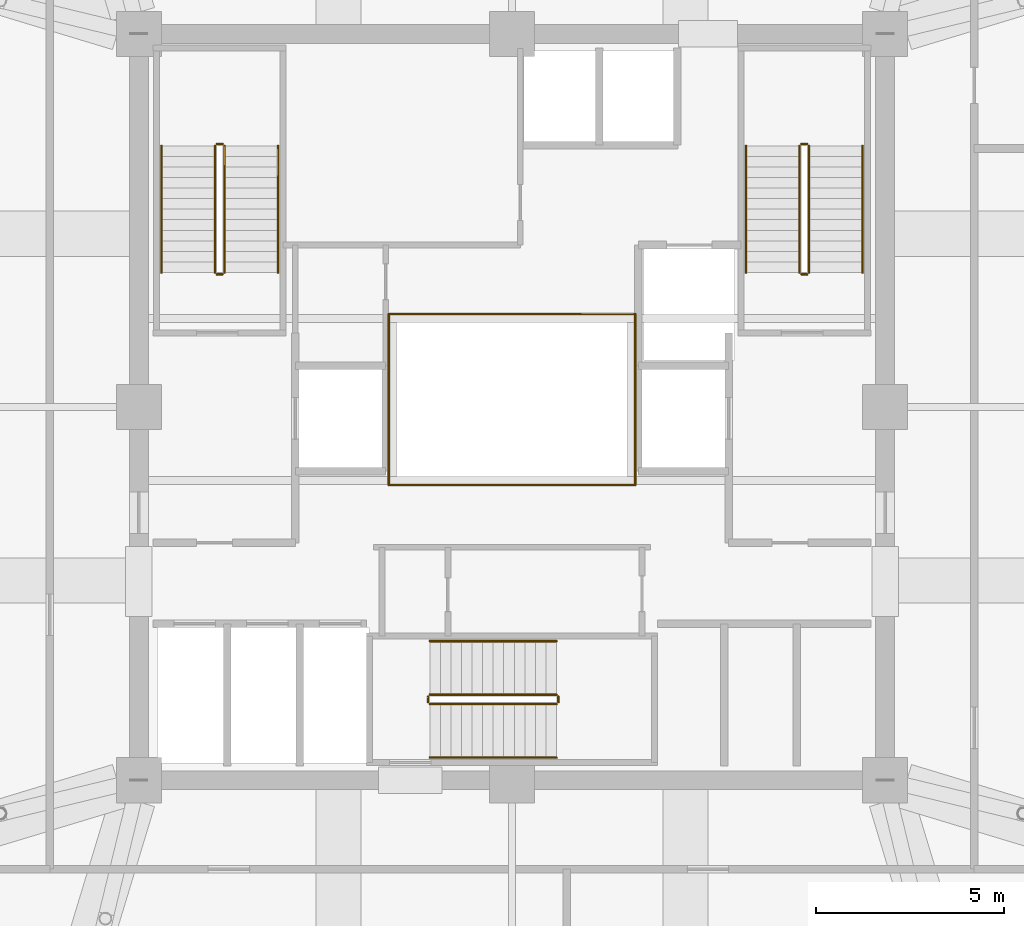
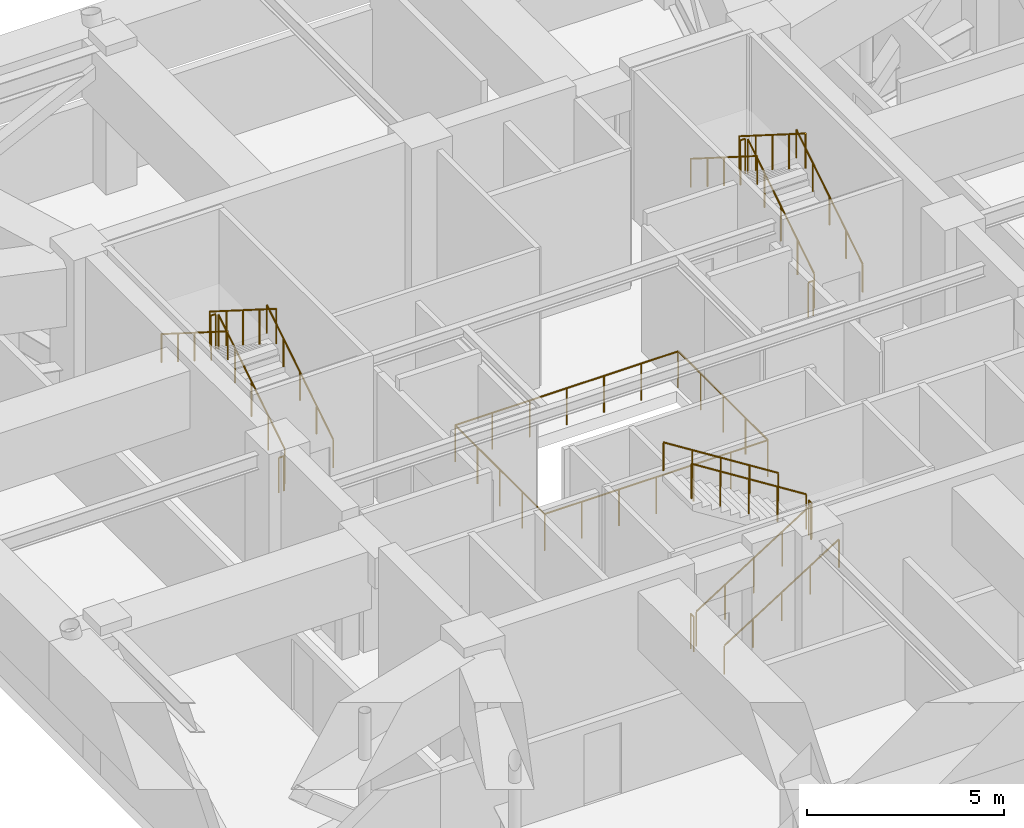
# One storey, part 12 of 12: 22 railings.
"""IFC4 building model written with IfcOpenShell, lengths in metres."""

import ifcopenshell
import ifcopenshell.guid

model = None  # the IFC model being written
_history = None  # IfcOwnerHistory: only IFC2X3 demands one
_inside = {}  # id of a spatial element -> (the spatial element, [elements in it])
_under = {}  # id of a project, library or spatial element -> (it, [spatial elements below it])
_declared = {}  # id of a project -> (the project, [libraries it declares])
_typed = {}  # id of a type object -> (the type object, [elements of that type])
_made_of = {}  # id of a material, layer set ... -> (it, [elements and type objects made of it])


def new_model(schema):
    """Start an empty IFC model of exactly this schema.

    Asked for "IFC4X3", IfcOpenShell would pick the latest addendum, in which some entities
    have other attributes; the version numbers below select the first issue.
    IFC2X3 requires an IfcOwnerHistory on every rooted entity: one is made here for all.
    """
    global model, _history
    if schema == "IFC4X3":
        model = ifcopenshell.file(schema_version=(4, 3, 0, 0))
    else:
        model = ifcopenshell.file(schema=schema)
    _inside.clear()
    _under.clear()
    _declared.clear()
    _typed.clear()
    _made_of.clear()
    _history = None
    if model.schema == "IFC2X3":
        org = make("IfcOrganization", Name="unknown")
        user = make(
            "IfcPersonAndOrganization",
            ThePerson=make("IfcPerson", FamilyName="unknown"),
            TheOrganization=org,
        )
        app = make(
            "IfcApplication",
            ApplicationDeveloper=org,
            Version="unknown",
            ApplicationFullName="unknown",
            ApplicationIdentifier="unknown",
        )
        _history = make(
            "IfcOwnerHistory",
            OwningUser=user,
            OwningApplication=app,
            ChangeAction="ADDED",
            CreationDate=0,
        )
    return model


def make(cls, **values):
    """One entity of the class cls with the attributes given. An attribute that is None is left unset."""
    return model.create_entity(
        cls, **{name: value for name, value in values.items() if value is not None}
    )


def rooted(cls, **values):
    """An entity with a GlobalId (a new one), such as an element, a storey or a relation."""
    return make(cls, GlobalId=ifcopenshell.guid.new(), OwnerHistory=_history, **values)


def si_unit(unit_type, name, prefix=None):
    """IfcSIUnit, for example si_unit("LENGTHUNIT", "METRE", prefix="MILLI")."""
    return make("IfcSIUnit", UnitType=unit_type, Prefix=prefix, Name=name)


def assignment(units):
    """IfcUnitAssignment: the units of a project."""
    return None if units is None else make("IfcUnitAssignment", Units=units)


def point(xyz):
    """IfcCartesianPoint."""
    return None if xyz is None else make("IfcCartesianPoint", Coordinates=xyz)


def direction(xyz):
    """IfcDirection."""
    return None if xyz is None else make("IfcDirection", DirectionRatios=xyz)


def frame(location, z_axis=None, x_axis=None):
    """IfcAxis2Placement3D, a coordinate frame: its origin and axes. An axis left out is left unset."""
    return make(
        "IfcAxis2Placement3D",
        Location=point(location),
        Axis=direction(z_axis),
        RefDirection=direction(x_axis),
    )


def frame_2d(location, x_axis=None):
    """IfcAxis2Placement2D, a coordinate frame in the plane: its origin and x axis."""
    return make(
        "IfcAxis2Placement2D", Location=point(location), RefDirection=direction(x_axis)
    )


def origin():
    """The frame at (0, 0, 0) with its axes left unset."""
    return frame((0.0, 0.0, 0.0))


def origin_2d():
    """The frame at (0, 0) in the plane with its x axis left unset."""
    return frame_2d((0.0, 0.0))


def place(relative_to, where):
    """IfcLocalPlacement: puts the frame where relative to a parent placement (None: the world)."""
    return make(
        "IfcLocalPlacement", PlacementRelTo=relative_to, RelativePlacement=where
    )


def context(
    kind, dimensions, precision=None, world=None, true_north=None, identifier=None
):
    """IfcGeometricRepresentationContext, for example the 3D "Model" context."""
    return make(
        "IfcGeometricRepresentationContext",
        ContextIdentifier=identifier,
        ContextType=kind,
        CoordinateSpaceDimension=dimensions,
        Precision=precision,
        WorldCoordinateSystem=world,
        TrueNorth=true_north,
    )


def subcontext(parent, identifier, kind, view, scale=None):
    """IfcGeometricRepresentationSubContext, for example "Body" below "Model"."""
    return make(
        "IfcGeometricRepresentationSubContext",
        ContextIdentifier=identifier,
        ContextType=kind,
        ParentContext=parent,
        TargetScale=scale,
        TargetView=view,
    )


def project(units=None, contexts=None):
    """IfcProject with its units and contexts."""
    return rooted(
        "IfcProject",
        Name="project",
        RepresentationContexts=contexts,
        UnitsInContext=assignment(units),
    )


def spatial(cls, under=None, at=None, **own):
    """A site, building, storey or space (cls), placed at a placement, below another one or the project."""
    s = rooted(cls, ObjectPlacement=at, **own)
    if under is not None:
        _under.setdefault(under.id(), (under, []))[1].append(s)
    return s


def profile(cls, at=None, kind="AREA", **sizes):
    """A parametric profile (cls). Its sizes go by their IFC names, for example OverallWidth=200.0."""
    return make(cls, ProfileType=kind, Position=at, **sizes)


def circle(**sizes):
    """IfcCircleProfileDef."""
    return profile("IfcCircleProfileDef", **sizes)


def extrude(swept, where, along, depth):
    """IfcExtrudedAreaSolid: the profile swept, set in the frame where, extruded along a direction by depth."""
    return make(
        "IfcExtrudedAreaSolid",
        SweptArea=swept,
        Position=where,
        ExtrudedDirection=direction(along),
        Depth=depth,
    )


def shape(context_of_items, identifier, shape_type, items):
    """IfcShapeRepresentation: the items that make up one representation, for example the "Body"."""
    return make(
        "IfcShapeRepresentation",
        ContextOfItems=context_of_items,
        RepresentationIdentifier=identifier,
        RepresentationType=shape_type,
        Items=items,
    )


def material(Name=None, Category=None):
    """IfcMaterial."""
    return make("IfcMaterial", Name=Name, Category=Category)


def made_of(thing, what):
    """Note that an element or type object is made of a material, layer set ...; save() writes the relation."""
    if what is not None:
        _made_of.setdefault(what.id(), (what, []))[1].append(thing)
    return thing


def type_object(cls, material=None, **own):
    """A type object (cls), such as IfcWallType, which elements share."""
    return made_of(rooted(cls, **own), material)


def element(
    cls,
    number,
    at=None,
    inside=None,
    cuts=None,
    type_object=None,
    material=None,
    context=None,
    identifier="Body",
    shape_type=None,
    held_by="IfcProductDefinitionShape",
    body=None,
    shapes=None,
    **own,
):
    """One element of the class cls, such as IfcWall. Its Tag is "e" and its number.

    at: its placement. inside: the storey or other place that contains it. cuts: it is an
    opening in that element (IfcRelVoidsElement). A single representation is given by context,
    identifier, shape_type and body (its items); several are given by shapes. held_by: the class
    of the entity that holds the representations. save() writes the other relations.
    """
    e = rooted(cls, Tag="e%d" % number, ObjectPlacement=at, **own)
    if body is not None:
        shapes = [shape(context, identifier, shape_type, body)]
    if shapes is not None:
        e.Representation = make(held_by, Representations=shapes)
    if inside is not None:
        _inside.setdefault(inside.id(), (inside, []))[1].append(e)
    if cuts is not None:
        rooted(
            "IfcRelVoidsElement", RelatingBuildingElement=cuts, RelatedOpeningElement=e
        )
    if type_object is not None:
        _typed.setdefault(type_object.id(), (type_object, []))[1].append(e)
    return made_of(e, material)


def aggregate(whole, parts):
    """IfcRelAggregates: a whole, such as a stair, and the parts it consists of."""
    return rooted("IfcRelAggregates", RelatingObject=whole, RelatedObjects=parts)


def save(model, path):
    """Write the relations noted so far, then the file.

    IfcRelAggregates (storeys below a building ...), IfcRelContainedInSpatialStructure (elements
    in a storey), IfcRelDefinesByType, IfcRelAssociatesMaterial and IfcRelDeclares: one each for
    every whole, place, type object, material and project.
    """
    for whole, parts in _under.values():
        aggregate(whole, parts)
    for where, things in _inside.values():
        rooted(
            "IfcRelContainedInSpatialStructure",
            RelatedElements=things,
            RelatingStructure=where,
        )
    for kind, things in _typed.values():
        rooted("IfcRelDefinesByType", RelatedObjects=things, RelatingType=kind)
    for what, things in _made_of.values():
        rooted("IfcRelAssociatesMaterial", RelatedObjects=things, RelatingMaterial=what)
    for by, libraries in _declared.values():
        rooted("IfcRelDeclares", RelatingContext=by, RelatedDefinitions=libraries)
    model.write(path)


model = new_model("IFC4")

# Units and contexts
model_context = context("Model", 3, precision=1e-05, world=origin(), true_north=direction((0.0, 1.0)))
body_context = subcontext(model_context, "Body", "Model", "MODEL_VIEW")
ifc_project = project(units=[si_unit("LENGTHUNIT", "METRE"), si_unit("AREAUNIT", "SQUARE_METRE"), si_unit("VOLUMEUNIT", "CUBIC_METRE"), si_unit("PLANEANGLEUNIT", "RADIAN"), si_unit("MASSUNIT", "GRAM", prefix="KILO")], contexts=[model_context])

# Site, building, storey
site_placement = place(None, origin())
site = spatial("IfcSite", under=ifc_project, at=site_placement, CompositionType="ELEMENT")
building_placement = place(site_placement, origin())
building = spatial("IfcBuilding", under=site, at=building_placement, Name="Kolvaren Belvedere", CompositionType="ELEMENT")
storey_placement = place(building_placement, frame((0.0, 0.0, 148.10009765625)))
storey = spatial("IfcBuildingStorey", under=building, at=storey_placement, Name="L43", CompositionType="ELEMENT", Elevation=148.10009765625)

# Railings
ifc_material_1 = material(Name="Laminated glass & stainless-steel cap rail", Category="steel")
railing_type_1 = type_object("IfcRailingType", Name="RL-ATR-1150", PredefinedType="BALUSTRADE", material=ifc_material_1)
for number, where, name in (
    (1, (-3.27001953125, 2.469970703125, 0.0), "L43 Atrium North Glass Balustrade"),
    (2, (-3.27001953125, -2.070068359375, 0.0), "L43 Atrium South Glass Balustrade"),
):
    element("IfcRailing", number, at=place(storey_placement, frame(where)), inside=storey, type_object=railing_type_1, Name=name, PredefinedType="BALUSTRADE", context=body_context, shape_type="SweptSolid", body=[
        extrude(circle(Radius=0.02392578125, at=origin_2d()), frame((0.0, 0.0, 1.1259765625), z_axis=(1.0, 0.0, 0.0), x_axis=(0.0, 1.0, 0.0)), (0.0, 0.0, 1.0), 6.5400390625),
        extrude(circle(Radius=0.02099609375, at=origin_2d()), origin(), (0.0, 0.0, 1.0), 1.101806640625),
        extrude(circle(Radius=0.02099609375, at=origin_2d()), frame((1.090087890625, 0.0, 0.0)), (0.0, 0.0, 1.0), 1.101806640625),
        extrude(circle(Radius=0.02099609375, at=origin_2d()), frame((2.179931640625, 0.0, 0.0)), (0.0, 0.0, 1.0), 1.101806640625),
        extrude(circle(Radius=0.02099609375, at=origin_2d()), frame((3.27001953125, 0.0, 0.0)), (0.0, 0.0, 1.0), 1.101806640625),
        extrude(circle(Radius=0.02099609375, at=origin_2d()), frame((4.360107421875, 0.0, 0.0)), (0.0, 0.0, 1.0), 1.101806640625),
        extrude(circle(Radius=0.02099609375, at=origin_2d()), frame((5.449951171875, 0.0, 0.0)), (0.0, 0.0, 1.0), 1.101806640625),
        extrude(circle(Radius=0.02099609375, at=origin_2d()), frame((6.5400390625, 0.0, 0.0)), (0.0, 0.0, 1.0), 1.101806640625),
    ])
for number, where, name in (
    (3, (-3.27001953125, -2.070068359375, 0.0), "L43 Atrium West Glass Balustrade"),
    (4, (3.27001953125, -2.070068359375, 0.0), "L43 Atrium East Glass Balustrade"),
):
    element("IfcRailing", number, at=place(storey_placement, frame(where)), inside=storey, type_object=railing_type_1, Name=name, PredefinedType="BALUSTRADE", context=body_context, shape_type="SweptSolid", body=[
        extrude(circle(Radius=0.02392578125, at=origin_2d()), frame((0.0, 0.0, 1.1259765625), z_axis=(0.0, 1.0, 0.0), x_axis=(-1.0, 0.0, 0.0)), (0.0, 0.0, 1.0), 4.5400390625),
        extrude(circle(Radius=0.02099609375, at=origin_2d()), origin(), (0.0, 0.0, 1.0), 1.101806640625),
        extrude(circle(Radius=0.02099609375, at=origin_2d()), frame((0.0, 1.135009765625, 0.0)), (0.0, 0.0, 1.0), 1.101806640625),
        extrude(circle(Radius=0.02099609375, at=origin_2d()), frame((0.0, 2.27001953125, 0.0)), (0.0, 0.0, 1.0), 1.101806640625),
        extrude(circle(Radius=0.02099609375, at=origin_2d()), frame((0.0, 3.405029296875, 0.0)), (0.0, 0.0, 1.0), 1.101806640625),
        extrude(circle(Radius=0.02099609375, at=origin_2d()), frame((0.0, 4.5400390625, 0.0)), (0.0, 0.0, 1.0), 1.101806640625),
    ])
ifc_material_2 = material(Name="Brushed stainless-steel handrail", Category="steel")
railing_type_2 = type_object("IfcRailingType", Name="RL-HANDRAIL-920", PredefinedType="HANDRAIL", material=ifc_material_2)
railing_1_placement = place(storey_placement, frame((-6.2099609375, 3.570068359375, 0.1767578125)))
element("IfcRailing", 5, at=railing_1_placement, inside=storey, type_object=railing_type_2, Name="L43 ST-1 stair handrail 1", PredefinedType="HANDRAIL", context=body_context, shape_type="SweptSolid", body=[
    extrude(circle(Radius=0.02392578125, at=origin_2d()), frame((0.0, 0.0, 0.8759765625), z_axis=(0.0, 0.845372108799, 0.534177870812), x_axis=(-1.0, 0.0, 0.0)), (0.0, 0.0, 1.0), 3.974365234375),
    extrude(circle(Radius=0.02099609375, at=origin_2d()), origin(), (0.0, 0.0, 1.0), 0.851806640625),
    extrude(circle(Radius=0.02099609375, at=origin_2d()), frame((0.0, 0.83984375, 0.53076171875)), (0.0, 0.0, 1.0), 0.851806640625),
    extrude(circle(Radius=0.02099609375, at=origin_2d()), frame((0.0, 1.679931640625, 1.0615234375)), (0.0, 0.0, 1.0), 0.851806640625),
    extrude(circle(Radius=0.02099609375, at=origin_2d()), frame((0.0, 2.52001953125, 1.59228515625)), (0.0, 0.0, 1.0), 0.851806640625),
    extrude(circle(Radius=0.02099609375, at=origin_2d()), frame((0.0, 3.35986328125, 2.123046875)), (0.0, 0.0, 1.0), 0.851806640625),
])
railing_2_placement = place(storey_placement, frame((-9.300048828125, 6.929931640625, 2.476806640625)))
element("IfcRailing", 6, at=railing_2_placement, inside=storey, type_object=railing_type_2, Name="L43 ST-1 stair handrail 2", PredefinedType="HANDRAIL", context=body_context, shape_type="SweptSolid", body=[
    extrude(circle(Radius=0.02392578125, at=origin_2d()), frame((0.0, 0.0, 0.8759765625), z_axis=(0.0, -0.845372108799, 0.534177870812), x_axis=(1.0, 0.0, 0.0)), (0.0, 0.0, 1.0), 3.974365234375),
    extrude(circle(Radius=0.02099609375, at=origin_2d()), origin(), (0.0, 0.0, 1.0), 0.851806640625),
    extrude(circle(Radius=0.02099609375, at=origin_2d()), frame((0.0, -0.83984375, 0.53076171875)), (0.0, 0.0, 1.0), 0.851806640625),
    extrude(circle(Radius=0.02099609375, at=origin_2d()), frame((0.0, -1.679931640625, 1.0615234375)), (0.0, 0.0, 1.0), 0.851806640625),
    extrude(circle(Radius=0.02099609375, at=origin_2d()), frame((0.0, -2.52001953125, 1.59228515625)), (0.0, 0.0, 1.0), 0.851806640625),
    extrude(circle(Radius=0.02099609375, at=origin_2d()), frame((0.0, -3.35986328125, 2.123046875)), (0.0, 0.0, 1.0), 0.851806640625),
])
railing_3_placement = place(storey_placement, frame((9.300048828125, 3.570068359375, 0.1767578125)))
element("IfcRailing", 7, at=railing_3_placement, inside=storey, type_object=railing_type_2, Name="L43 ST-2 stair handrail 1", PredefinedType="HANDRAIL", context=body_context, shape_type="SweptSolid", body=[
    extrude(circle(Radius=0.02392578125, at=origin_2d()), frame((0.0, 0.0, 0.8759765625), z_axis=(0.0, 0.845372108799, 0.534177870812), x_axis=(-1.0, 0.0, 0.0)), (0.0, 0.0, 1.0), 3.974365234375),
    extrude(circle(Radius=0.02099609375, at=origin_2d()), origin(), (0.0, 0.0, 1.0), 0.851806640625),
    extrude(circle(Radius=0.02099609375, at=origin_2d()), frame((0.0, 0.83984375, 0.53076171875)), (0.0, 0.0, 1.0), 0.851806640625),
    extrude(circle(Radius=0.02099609375, at=origin_2d()), frame((0.0, 1.679931640625, 1.0615234375)), (0.0, 0.0, 1.0), 0.851806640625),
    extrude(circle(Radius=0.02099609375, at=origin_2d()), frame((0.0, 2.52001953125, 1.59228515625)), (0.0, 0.0, 1.0), 0.851806640625),
    extrude(circle(Radius=0.02099609375, at=origin_2d()), frame((0.0, 3.35986328125, 2.123046875)), (0.0, 0.0, 1.0), 0.851806640625),
])
railing_4_placement = place(storey_placement, frame((6.2099609375, 6.929931640625, 2.476806640625)))
element("IfcRailing", 8, at=railing_4_placement, inside=storey, type_object=railing_type_2, Name="L43 ST-2 stair handrail 2", PredefinedType="HANDRAIL", context=body_context, shape_type="SweptSolid", body=[
    extrude(circle(Radius=0.02392578125, at=origin_2d()), frame((0.0, 0.0, 0.8759765625), z_axis=(0.0, -0.845372108799, 0.534177870812), x_axis=(1.0, 0.0, 0.0)), (0.0, 0.0, 1.0), 3.974365234375),
    extrude(circle(Radius=0.02099609375, at=origin_2d()), origin(), (0.0, 0.0, 1.0), 0.851806640625),
    extrude(circle(Radius=0.02099609375, at=origin_2d()), frame((0.0, -0.83984375, 0.53076171875)), (0.0, 0.0, 1.0), 0.851806640625),
    extrude(circle(Radius=0.02099609375, at=origin_2d()), frame((0.0, -1.679931640625, 1.0615234375)), (0.0, 0.0, 1.0), 0.851806640625),
    extrude(circle(Radius=0.02099609375, at=origin_2d()), frame((0.0, -2.52001953125, 1.59228515625)), (0.0, 0.0, 1.0), 0.851806640625),
    extrude(circle(Radius=0.02099609375, at=origin_2d()), frame((0.0, -3.35986328125, 2.123046875)), (0.0, 0.0, 1.0), 0.851806640625),
])
railing_5_placement = place(storey_placement, frame((-2.179931640625, -9.300048828125, 0.1767578125)))
element("IfcRailing", 9, at=railing_5_placement, inside=storey, type_object=railing_type_2, Name="L43 ST-3 stair handrail 1", PredefinedType="HANDRAIL", context=body_context, shape_type="SweptSolid", body=[
    extrude(circle(Radius=0.02392578125, at=origin_2d()), frame((0.0, 0.0, 0.8759765625), z_axis=(0.845372108799, 0.0, 0.534177870812), x_axis=(0.0, 1.0, 0.0)), (0.0, 0.0, 1.0), 3.974365234375),
    extrude(circle(Radius=0.02099609375, at=origin_2d()), origin(), (0.0, 0.0, 1.0), 0.851806640625),
    extrude(circle(Radius=0.02099609375, at=origin_2d()), frame((0.83984375, 0.0, 0.53076171875)), (0.0, 0.0, 1.0), 0.851806640625),
    extrude(circle(Radius=0.02099609375, at=origin_2d()), frame((1.679931640625, 0.0, 1.0615234375)), (0.0, 0.0, 1.0), 0.851806640625),
    extrude(circle(Radius=0.02099609375, at=origin_2d()), frame((2.52001953125, 0.0, 1.59228515625)), (0.0, 0.0, 1.0), 0.851806640625),
    extrude(circle(Radius=0.02099609375, at=origin_2d()), frame((3.35986328125, 0.0, 2.123046875)), (0.0, 0.0, 1.0), 0.851806640625),
])
railing_6_placement = place(storey_placement, frame((1.179931640625, -6.2099609375, 2.476806640625)))
element("IfcRailing", 10, at=railing_6_placement, inside=storey, type_object=railing_type_2, Name="L43 ST-3 stair handrail 2", PredefinedType="HANDRAIL", context=body_context, shape_type="SweptSolid", body=[
    extrude(circle(Radius=0.02392578125, at=origin_2d()), frame((0.0, 0.0, 0.8759765625), z_axis=(-0.845372108799, 0.0, 0.534177870812), x_axis=(0.0, -1.0, 0.0)), (0.0, 0.0, 1.0), 3.974365234375),
    extrude(circle(Radius=0.02099609375, at=origin_2d()), origin(), (0.0, 0.0, 1.0), 0.851806640625),
    extrude(circle(Radius=0.02099609375, at=origin_2d()), frame((-0.83984375, 0.0, 0.53076171875)), (0.0, 0.0, 1.0), 0.851806640625),
    extrude(circle(Radius=0.02099609375, at=origin_2d()), frame((-1.679931640625, 0.0, 1.0615234375)), (0.0, 0.0, 1.0), 0.851806640625),
    extrude(circle(Radius=0.02099609375, at=origin_2d()), frame((-2.52001953125, 0.0, 1.59228515625)), (0.0, 0.0, 1.0), 0.851806640625),
    extrude(circle(Radius=0.02099609375, at=origin_2d()), frame((-3.35986328125, 0.0, 2.123046875)), (0.0, 0.0, 1.0), 0.851806640625),
])
ifc_material_3 = material(Name="Painted tubular steel stair guard", Category="steel")
railing_type_3 = type_object("IfcRailingType", Name="RL-STGUARD-1100", PredefinedType="GUARDRAIL", material=ifc_material_3)
railing_7_placement = place(storey_placement, frame((-7.6298828125, 3.570068359375, 0.1767578125)))
element("IfcRailing", 11, at=railing_7_placement, inside=storey, type_object=railing_type_3, Name="L43 ST-1 stair guard 1", PredefinedType="GUARDRAIL", context=body_context, shape_type="SweptSolid", body=[
    extrude(circle(Radius=0.02392578125, at=origin_2d()), frame((0.0, 0.0, 1.076171875), z_axis=(0.0, 0.845372108799, 0.534177870812), x_axis=(-1.0, 0.0, 0.0)), (0.0, 0.0, 1.0), 3.974365234375),
    extrude(circle(Radius=0.02099609375, at=origin_2d()), origin(), (0.0, 0.0, 1.0), 1.052001953125),
    extrude(circle(Radius=0.02099609375, at=origin_2d()), frame((0.0, 0.83984375, 0.53076171875)), (0.0, 0.0, 1.0), 1.052001953125),
    extrude(circle(Radius=0.02099609375, at=origin_2d()), frame((0.0, 1.679931640625, 1.0615234375)), (0.0, 0.0, 1.0), 1.052001953125),
    extrude(circle(Radius=0.02099609375, at=origin_2d()), frame((0.0, 2.52001953125, 1.59228515625)), (0.0, 0.0, 1.0), 1.052001953125),
    extrude(circle(Radius=0.02099609375, at=origin_2d()), frame((0.0, 3.35986328125, 2.123046875)), (0.0, 0.0, 1.0), 1.052001953125),
])
railing_8_placement = place(storey_placement, frame((-7.679931640625, 6.97998046875, 2.2998046875)))
element("IfcRailing", 12, at=railing_8_placement, inside=storey, type_object=railing_type_3, Name="L43 ST-1 stair guard 2", PredefinedType="GUARDRAIL", context=body_context, shape_type="SweptSolid", body=[
    extrude(circle(Radius=0.02392578125, at=origin_2d()), frame((0.0, 0.0, 1.076171875), z_axis=(-1.0, 0.0, 0.0), x_axis=(0.0, -1.0, 0.0)), (0.0, 0.0, 1.0), 0.150146484375),
    extrude(circle(Radius=0.02099609375, at=origin_2d()), origin(), (0.0, 0.0, 1.0), 1.052001953125),
    extrude(circle(Radius=0.02099609375, at=origin_2d()), frame((-0.150146484375, 0.0, 0.0)), (0.0, 0.0, 1.0), 1.052001953125),
])
railing_9_placement = place(storey_placement, frame((-7.8798828125, 6.929931640625, 2.476806640625)))
element("IfcRailing", 13, at=railing_9_placement, inside=storey, type_object=railing_type_3, Name="L43 ST-1 stair guard 3", PredefinedType="GUARDRAIL", context=body_context, shape_type="SweptSolid", body=[
    extrude(circle(Radius=0.02392578125, at=origin_2d()), frame((0.0, 0.0, 1.076171875), z_axis=(0.0, -0.845372108799, 0.534177870812), x_axis=(1.0, 0.0, 0.0)), (0.0, 0.0, 1.0), 3.974365234375),
    extrude(circle(Radius=0.02099609375, at=origin_2d()), origin(), (0.0, 0.0, 1.0), 1.052001953125),
    extrude(circle(Radius=0.02099609375, at=origin_2d()), frame((0.0, -0.83984375, 0.53076171875)), (0.0, 0.0, 1.0), 1.052001953125),
    extrude(circle(Radius=0.02099609375, at=origin_2d()), frame((0.0, -1.679931640625, 1.0615234375)), (0.0, 0.0, 1.0), 1.052001953125),
    extrude(circle(Radius=0.02099609375, at=origin_2d()), frame((0.0, -2.52001953125, 1.59228515625)), (0.0, 0.0, 1.0), 1.052001953125),
    extrude(circle(Radius=0.02099609375, at=origin_2d()), frame((0.0, -3.35986328125, 2.123046875)), (0.0, 0.0, 1.0), 1.052001953125),
])
railing_10_placement = place(storey_placement, frame((-7.679931640625, 3.52001953125, 0.0)))
element("IfcRailing", 14, at=railing_10_placement, inside=storey, type_object=railing_type_3, Name="L43 ST-1 stair guard 4", PredefinedType="GUARDRAIL", context=body_context, shape_type="SweptSolid", body=[
    extrude(circle(Radius=0.02392578125, at=origin_2d()), frame((0.0, 0.0, 1.076171875), z_axis=(-1.0, 0.0, 0.0), x_axis=(0.0, -1.0, 0.0)), (0.0, 0.0, 1.0), 0.150146484375),
    extrude(circle(Radius=0.02099609375, at=origin_2d()), origin(), (0.0, 0.0, 1.0), 1.052001953125),
    extrude(circle(Radius=0.02099609375, at=origin_2d()), frame((-0.150146484375, 0.0, 0.0)), (0.0, 0.0, 1.0), 1.052001953125),
])
railing_11_placement = place(storey_placement, frame((7.8798828125, 3.570068359375, 0.1767578125)))
element("IfcRailing", 15, at=railing_11_placement, inside=storey, type_object=railing_type_3, Name="L43 ST-2 stair guard 1", PredefinedType="GUARDRAIL", context=body_context, shape_type="SweptSolid", body=[
    extrude(circle(Radius=0.02392578125, at=origin_2d()), frame((0.0, 0.0, 1.076171875), z_axis=(0.0, 0.845372108799, 0.534177870812), x_axis=(-1.0, 0.0, 0.0)), (0.0, 0.0, 1.0), 3.974365234375),
    extrude(circle(Radius=0.02099609375, at=origin_2d()), origin(), (0.0, 0.0, 1.0), 1.052001953125),
    extrude(circle(Radius=0.02099609375, at=origin_2d()), frame((0.0, 0.83984375, 0.53076171875)), (0.0, 0.0, 1.0), 1.052001953125),
    extrude(circle(Radius=0.02099609375, at=origin_2d()), frame((0.0, 1.679931640625, 1.0615234375)), (0.0, 0.0, 1.0), 1.052001953125),
    extrude(circle(Radius=0.02099609375, at=origin_2d()), frame((0.0, 2.52001953125, 1.59228515625)), (0.0, 0.0, 1.0), 1.052001953125),
    extrude(circle(Radius=0.02099609375, at=origin_2d()), frame((0.0, 3.35986328125, 2.123046875)), (0.0, 0.0, 1.0), 1.052001953125),
])
railing_12_placement = place(storey_placement, frame((7.830078125, 6.97998046875, 2.2998046875)))
element("IfcRailing", 16, at=railing_12_placement, inside=storey, type_object=railing_type_3, Name="L43 ST-2 stair guard 2", PredefinedType="GUARDRAIL", context=body_context, shape_type="SweptSolid", body=[
    extrude(circle(Radius=0.02392578125, at=origin_2d()), frame((0.0, 0.0, 1.076171875), z_axis=(-1.0, 0.0, 0.0), x_axis=(0.0, -1.0, 0.0)), (0.0, 0.0, 1.0), 0.150146484375),
    extrude(circle(Radius=0.02099609375, at=origin_2d()), origin(), (0.0, 0.0, 1.0), 1.052001953125),
    extrude(circle(Radius=0.02099609375, at=origin_2d()), frame((-0.150146484375, 0.0, 0.0)), (0.0, 0.0, 1.0), 1.052001953125),
])
railing_13_placement = place(storey_placement, frame((7.6298828125, 6.929931640625, 2.476806640625)))
element("IfcRailing", 17, at=railing_13_placement, inside=storey, type_object=railing_type_3, Name="L43 ST-2 stair guard 3", PredefinedType="GUARDRAIL", context=body_context, shape_type="SweptSolid", body=[
    extrude(circle(Radius=0.02392578125, at=origin_2d()), frame((0.0, 0.0, 1.076171875), z_axis=(0.0, -0.845372108799, 0.534177870812), x_axis=(1.0, 0.0, 0.0)), (0.0, 0.0, 1.0), 3.974365234375),
    extrude(circle(Radius=0.02099609375, at=origin_2d()), origin(), (0.0, 0.0, 1.0), 1.052001953125),
    extrude(circle(Radius=0.02099609375, at=origin_2d()), frame((0.0, -0.83984375, 0.53076171875)), (0.0, 0.0, 1.0), 1.052001953125),
    extrude(circle(Radius=0.02099609375, at=origin_2d()), frame((0.0, -1.679931640625, 1.0615234375)), (0.0, 0.0, 1.0), 1.052001953125),
    extrude(circle(Radius=0.02099609375, at=origin_2d()), frame((0.0, -2.52001953125, 1.59228515625)), (0.0, 0.0, 1.0), 1.052001953125),
    extrude(circle(Radius=0.02099609375, at=origin_2d()), frame((0.0, -3.35986328125, 2.123046875)), (0.0, 0.0, 1.0), 1.052001953125),
])
railing_14_placement = place(storey_placement, frame((7.830078125, 3.52001953125, 0.0)))
element("IfcRailing", 18, at=railing_14_placement, inside=storey, type_object=railing_type_3, Name="L43 ST-2 stair guard 4", PredefinedType="GUARDRAIL", context=body_context, shape_type="SweptSolid", body=[
    extrude(circle(Radius=0.02392578125, at=origin_2d()), frame((0.0, 0.0, 1.076171875), z_axis=(-1.0, 0.0, 0.0), x_axis=(0.0, -1.0, 0.0)), (0.0, 0.0, 1.0), 0.150146484375),
    extrude(circle(Radius=0.02099609375, at=origin_2d()), origin(), (0.0, 0.0, 1.0), 1.052001953125),
    extrude(circle(Radius=0.02099609375, at=origin_2d()), frame((-0.150146484375, 0.0, 0.0)), (0.0, 0.0, 1.0), 1.052001953125),
])
railing_15_placement = place(storey_placement, frame((-2.179931640625, -7.8798828125, 0.1767578125)))
element("IfcRailing", 19, at=railing_15_placement, inside=storey, type_object=railing_type_3, Name="L43 ST-3 stair guard 1", PredefinedType="GUARDRAIL", context=body_context, shape_type="SweptSolid", body=[
    extrude(circle(Radius=0.02392578125, at=origin_2d()), frame((0.0, 0.0, 1.076171875), z_axis=(0.845372108799, 0.0, 0.534177870812), x_axis=(0.0, 1.0, 0.0)), (0.0, 0.0, 1.0), 3.974365234375),
    extrude(circle(Radius=0.02099609375, at=origin_2d()), origin(), (0.0, 0.0, 1.0), 1.052001953125),
    extrude(circle(Radius=0.02099609375, at=origin_2d()), frame((0.83984375, 0.0, 0.53076171875)), (0.0, 0.0, 1.0), 1.052001953125),
    extrude(circle(Radius=0.02099609375, at=origin_2d()), frame((1.679931640625, 0.0, 1.0615234375)), (0.0, 0.0, 1.0), 1.052001953125),
    extrude(circle(Radius=0.02099609375, at=origin_2d()), frame((2.52001953125, 0.0, 1.59228515625)), (0.0, 0.0, 1.0), 1.052001953125),
    extrude(circle(Radius=0.02099609375, at=origin_2d()), frame((3.35986328125, 0.0, 2.123046875)), (0.0, 0.0, 1.0), 1.052001953125),
])
railing_16_placement = place(storey_placement, frame((1.22998046875, -7.830078125, 2.2998046875)))
element("IfcRailing", 20, at=railing_16_placement, inside=storey, type_object=railing_type_3, Name="L43 ST-3 stair guard 2", PredefinedType="GUARDRAIL", context=body_context, shape_type="SweptSolid", body=[
    extrude(circle(Radius=0.02392578125, at=origin_2d()), frame((0.0, 0.0, 1.076171875), z_axis=(0.0, 1.0, 0.0), x_axis=(-1.0, 0.0, 0.0)), (0.0, 0.0, 1.0), 0.150146484375),
    extrude(circle(Radius=0.02099609375, at=origin_2d()), origin(), (0.0, 0.0, 1.0), 1.052001953125),
    extrude(circle(Radius=0.02099609375, at=origin_2d()), frame((0.0, 0.150146484375, 0.0)), (0.0, 0.0, 1.0), 1.052001953125),
])
railing_17_placement = place(storey_placement, frame((1.179931640625, -7.6298828125, 2.476806640625)))
element("IfcRailing", 21, at=railing_17_placement, inside=storey, type_object=railing_type_3, Name="L43 ST-3 stair guard 3", PredefinedType="GUARDRAIL", context=body_context, shape_type="SweptSolid", body=[
    extrude(circle(Radius=0.02392578125, at=origin_2d()), frame((0.0, 0.0, 1.076171875), z_axis=(-0.845372108799, 0.0, 0.534177870812), x_axis=(0.0, -1.0, 0.0)), (0.0, 0.0, 1.0), 3.974365234375),
    extrude(circle(Radius=0.02099609375, at=origin_2d()), origin(), (0.0, 0.0, 1.0), 1.052001953125),
    extrude(circle(Radius=0.02099609375, at=origin_2d()), frame((-0.83984375, 0.0, 0.53076171875)), (0.0, 0.0, 1.0), 1.052001953125),
    extrude(circle(Radius=0.02099609375, at=origin_2d()), frame((-1.679931640625, 0.0, 1.0615234375)), (0.0, 0.0, 1.0), 1.052001953125),
    extrude(circle(Radius=0.02099609375, at=origin_2d()), frame((-2.52001953125, 0.0, 1.59228515625)), (0.0, 0.0, 1.0), 1.052001953125),
    extrude(circle(Radius=0.02099609375, at=origin_2d()), frame((-3.35986328125, 0.0, 2.123046875)), (0.0, 0.0, 1.0), 1.052001953125),
])
railing_18_placement = place(storey_placement, frame((-2.22998046875, -7.830078125, 0.0)))
element("IfcRailing", 22, at=railing_18_placement, inside=storey, type_object=railing_type_3, Name="L43 ST-3 stair guard 4", PredefinedType="GUARDRAIL", context=body_context, shape_type="SweptSolid", body=[
    extrude(circle(Radius=0.02392578125, at=origin_2d()), frame((0.0, 0.0, 1.076171875), z_axis=(0.0, 1.0, 0.0), x_axis=(-1.0, 0.0, 0.0)), (0.0, 0.0, 1.0), 0.150146484375),
    extrude(circle(Radius=0.02099609375, at=origin_2d()), origin(), (0.0, 0.0, 1.0), 1.052001953125),
    extrude(circle(Radius=0.02099609375, at=origin_2d()), frame((0.0, 0.150146484375, 0.0)), (0.0, 0.0, 1.0), 1.052001953125),
])

save(model, "model.ifc")
